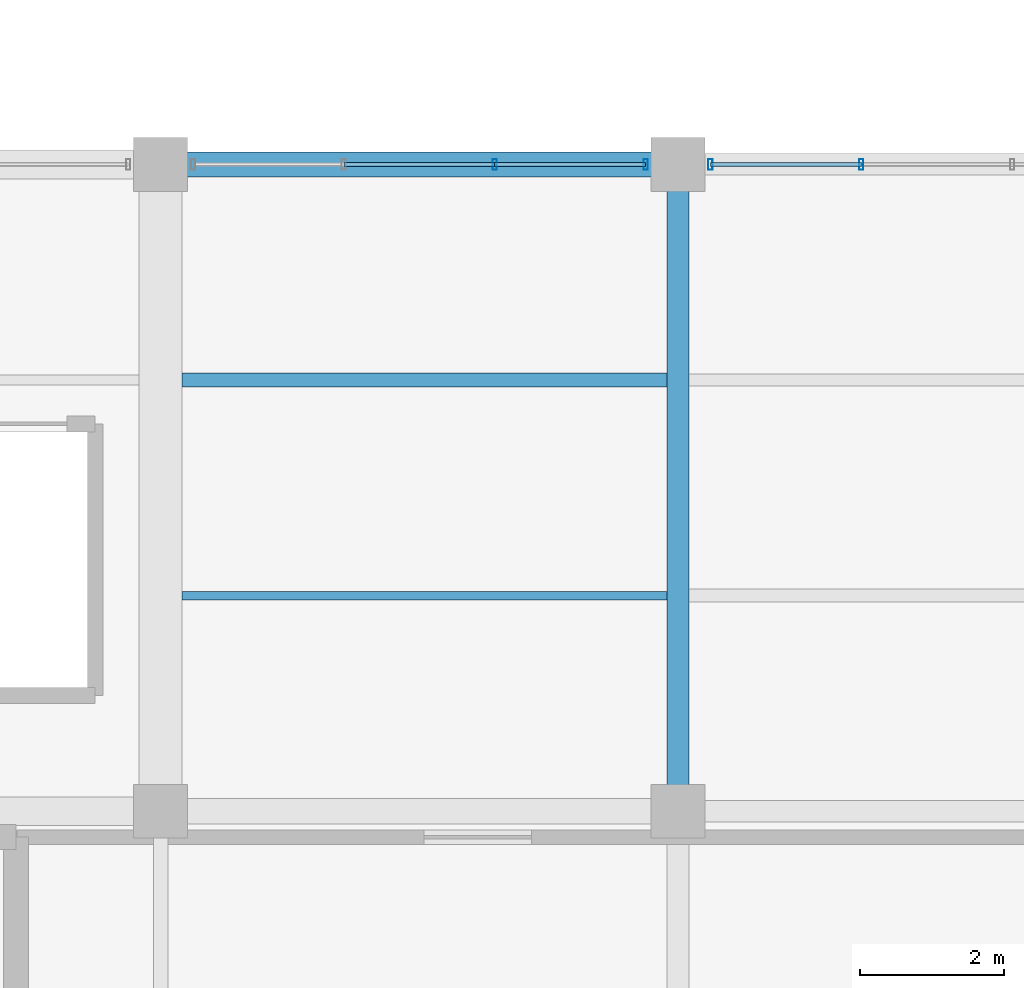
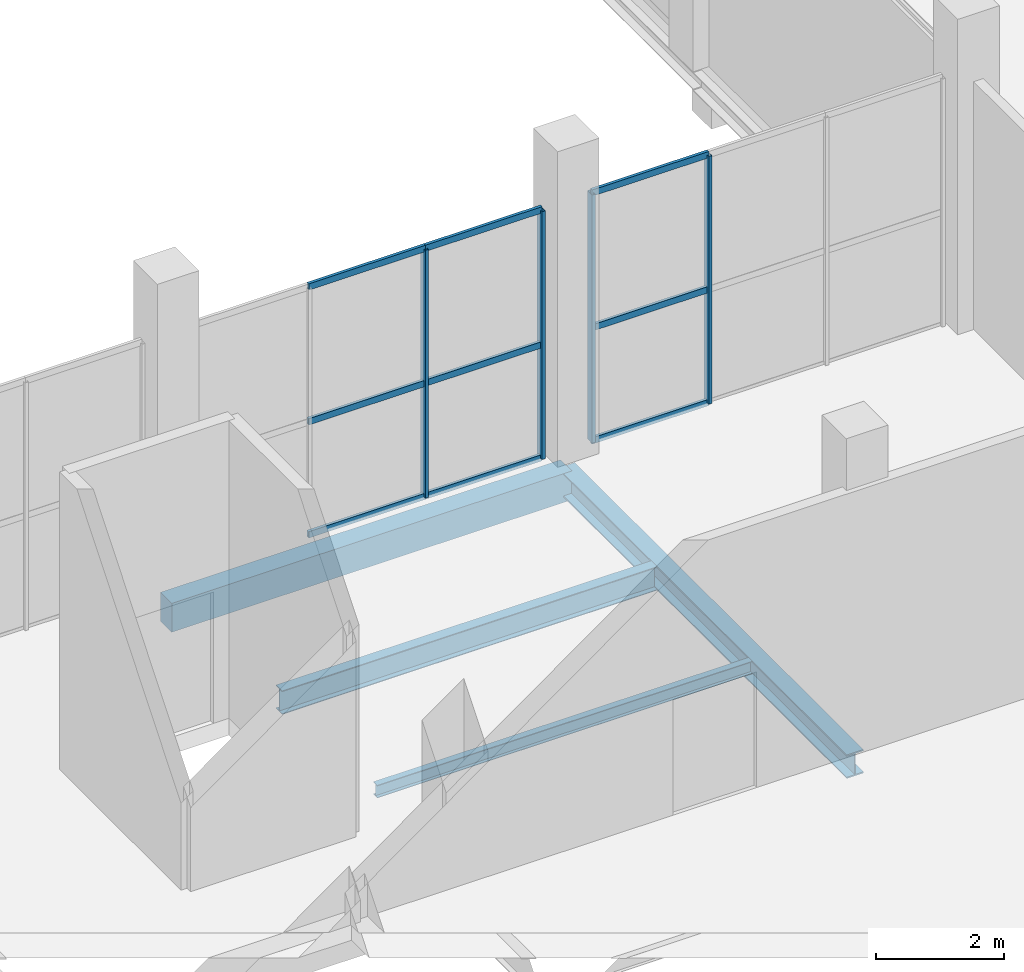
# One storey, part 103 of 144: 13 members, 4 beams, 2 elements without a shape of their own.
"""IFC4 building model written with IfcOpenShell, lengths in metres."""

import ifcopenshell
import ifcopenshell.guid

model = None  # the IFC model being written
_history = None  # IfcOwnerHistory: only IFC2X3 demands one
_inside = {}  # id of a spatial element -> (the spatial element, [elements in it])
_under = {}  # id of a project, library or spatial element -> (it, [spatial elements below it])
_declared = {}  # id of a project -> (the project, [libraries it declares])
_typed = {}  # id of a type object -> (the type object, [elements of that type])
_made_of = {}  # id of a material, layer set ... -> (it, [elements and type objects made of it])


def new_model(schema):
    """Start an empty IFC model of exactly this schema.

    Asked for "IFC4X3", IfcOpenShell would pick the latest addendum, in which some entities
    have other attributes; the version numbers below select the first issue.
    IFC2X3 requires an IfcOwnerHistory on every rooted entity: one is made here for all.
    """
    global model, _history
    if schema == "IFC4X3":
        model = ifcopenshell.file(schema_version=(4, 3, 0, 0))
    else:
        model = ifcopenshell.file(schema=schema)
    _inside.clear()
    _under.clear()
    _declared.clear()
    _typed.clear()
    _made_of.clear()
    _history = None
    if model.schema == "IFC2X3":
        org = make("IfcOrganization", Name="unknown")
        user = make(
            "IfcPersonAndOrganization",
            ThePerson=make("IfcPerson", FamilyName="unknown"),
            TheOrganization=org,
        )
        app = make(
            "IfcApplication",
            ApplicationDeveloper=org,
            Version="unknown",
            ApplicationFullName="unknown",
            ApplicationIdentifier="unknown",
        )
        _history = make(
            "IfcOwnerHistory",
            OwningUser=user,
            OwningApplication=app,
            ChangeAction="ADDED",
            CreationDate=0,
        )
    return model


def make(cls, **values):
    """One entity of the class cls with the attributes given. An attribute that is None is left unset."""
    return model.create_entity(
        cls, **{name: value for name, value in values.items() if value is not None}
    )


def rooted(cls, **values):
    """An entity with a GlobalId (a new one), such as an element, a storey or a relation."""
    return make(cls, GlobalId=ifcopenshell.guid.new(), OwnerHistory=_history, **values)


def si_unit(unit_type, name, prefix=None):
    """IfcSIUnit, for example si_unit("LENGTHUNIT", "METRE", prefix="MILLI")."""
    return make("IfcSIUnit", UnitType=unit_type, Prefix=prefix, Name=name)


def assignment(units):
    """IfcUnitAssignment: the units of a project."""
    return None if units is None else make("IfcUnitAssignment", Units=units)


def point(xyz):
    """IfcCartesianPoint."""
    return None if xyz is None else make("IfcCartesianPoint", Coordinates=xyz)


def direction(xyz):
    """IfcDirection."""
    return None if xyz is None else make("IfcDirection", DirectionRatios=xyz)


def frame(location, z_axis=None, x_axis=None):
    """IfcAxis2Placement3D, a coordinate frame: its origin and axes. An axis left out is left unset."""
    return make(
        "IfcAxis2Placement3D",
        Location=point(location),
        Axis=direction(z_axis),
        RefDirection=direction(x_axis),
    )


def frame_2d(location, x_axis=None):
    """IfcAxis2Placement2D, a coordinate frame in the plane: its origin and x axis."""
    return make(
        "IfcAxis2Placement2D", Location=point(location), RefDirection=direction(x_axis)
    )


def origin():
    """The frame at (0, 0, 0) with its axes left unset."""
    return frame((0.0, 0.0, 0.0))


def origin_2d():
    """The frame at (0, 0) in the plane with its x axis left unset."""
    return frame_2d((0.0, 0.0))


def place(relative_to, where):
    """IfcLocalPlacement: puts the frame where relative to a parent placement (None: the world)."""
    return make(
        "IfcLocalPlacement", PlacementRelTo=relative_to, RelativePlacement=where
    )


def context(
    kind, dimensions, precision=None, world=None, true_north=None, identifier=None
):
    """IfcGeometricRepresentationContext, for example the 3D "Model" context."""
    return make(
        "IfcGeometricRepresentationContext",
        ContextIdentifier=identifier,
        ContextType=kind,
        CoordinateSpaceDimension=dimensions,
        Precision=precision,
        WorldCoordinateSystem=world,
        TrueNorth=true_north,
    )


def subcontext(parent, identifier, kind, view, scale=None):
    """IfcGeometricRepresentationSubContext, for example "Body" below "Model"."""
    return make(
        "IfcGeometricRepresentationSubContext",
        ContextIdentifier=identifier,
        ContextType=kind,
        ParentContext=parent,
        TargetScale=scale,
        TargetView=view,
    )


def project(units=None, contexts=None):
    """IfcProject with its units and contexts."""
    return rooted(
        "IfcProject",
        Name="project",
        RepresentationContexts=contexts,
        UnitsInContext=assignment(units),
    )


def spatial(cls, under=None, at=None, **own):
    """A site, building, storey or space (cls), placed at a placement, below another one or the project."""
    s = rooted(cls, ObjectPlacement=at, **own)
    if under is not None:
        _under.setdefault(under.id(), (under, []))[1].append(s)
    return s


def profile(cls, at=None, kind="AREA", **sizes):
    """A parametric profile (cls). Its sizes go by their IFC names, for example OverallWidth=200.0."""
    return make(cls, ProfileType=kind, Position=at, **sizes)


def rectangle(**sizes):
    """IfcRectangleProfileDef."""
    return profile("IfcRectangleProfileDef", **sizes)


def hollow_rectangle(**sizes):
    """IfcRectangleHollowProfileDef."""
    return profile("IfcRectangleHollowProfileDef", **sizes)


def i_section(**sizes):
    """IfcIShapeProfileDef."""
    return profile("IfcIShapeProfileDef", **sizes)


def extrude(swept, where, along, depth):
    """IfcExtrudedAreaSolid: the profile swept, set in the frame where, extruded along a direction by depth."""
    return make(
        "IfcExtrudedAreaSolid",
        SweptArea=swept,
        Position=where,
        ExtrudedDirection=direction(along),
        Depth=depth,
    )


def shape(context_of_items, identifier, shape_type, items):
    """IfcShapeRepresentation: the items that make up one representation, for example the "Body"."""
    return make(
        "IfcShapeRepresentation",
        ContextOfItems=context_of_items,
        RepresentationIdentifier=identifier,
        RepresentationType=shape_type,
        Items=items,
    )


def material(Name=None, Category=None):
    """IfcMaterial."""
    return make("IfcMaterial", Name=Name, Category=Category)


def layer(
    of_material, thickness, ventilated=None, Name=None, Category=None, Priority=None
):
    """IfcMaterialLayer: one layer of a wall or slab, of a material (None: an air gap)."""
    return make(
        "IfcMaterialLayer",
        Material=of_material,
        LayerThickness=thickness,
        IsVentilated=ventilated,
        Name=Name,
        Category=Category,
        Priority=Priority,
    )


def layer_set(layers, Name=None):
    """IfcMaterialLayerSet."""
    return make("IfcMaterialLayerSet", MaterialLayers=layers, LayerSetName=Name)


def material_profile(
    of_material, cross_section, Name=None, Category=None, Priority=None
):
    """IfcMaterialProfile: a cross section and its material."""
    return make(
        "IfcMaterialProfile",
        Name=Name,
        Material=of_material,
        Profile=cross_section,
        Priority=Priority,
        Category=Category,
    )


def profile_set(profiles, Name=None, composite=None):
    """IfcMaterialProfileSet."""
    return make(
        "IfcMaterialProfileSet",
        Name=Name,
        MaterialProfiles=profiles,
        CompositeProfile=composite,
    )


def made_of(thing, what):
    """Note that an element or type object is made of a material, layer set ...; save() writes the relation."""
    if what is not None:
        _made_of.setdefault(what.id(), (what, []))[1].append(thing)
    return thing


def type_object(cls, material=None, **own):
    """A type object (cls), such as IfcWallType, which elements share."""
    return made_of(rooted(cls, **own), material)


def element(
    cls,
    number,
    at=None,
    inside=None,
    cuts=None,
    type_object=None,
    material=None,
    context=None,
    identifier="Body",
    shape_type=None,
    held_by="IfcProductDefinitionShape",
    body=None,
    shapes=None,
    **own,
):
    """One element of the class cls, such as IfcWall. Its Tag is "e" and its number.

    at: its placement. inside: the storey or other place that contains it. cuts: it is an
    opening in that element (IfcRelVoidsElement). A single representation is given by context,
    identifier, shape_type and body (its items); several are given by shapes. held_by: the class
    of the entity that holds the representations. save() writes the other relations.
    """
    e = rooted(cls, Tag="e%d" % number, ObjectPlacement=at, **own)
    if body is not None:
        shapes = [shape(context, identifier, shape_type, body)]
    if shapes is not None:
        e.Representation = make(held_by, Representations=shapes)
    if inside is not None:
        _inside.setdefault(inside.id(), (inside, []))[1].append(e)
    if cuts is not None:
        rooted(
            "IfcRelVoidsElement", RelatingBuildingElement=cuts, RelatedOpeningElement=e
        )
    if type_object is not None:
        _typed.setdefault(type_object.id(), (type_object, []))[1].append(e)
    return made_of(e, material)


def aggregate(whole, parts):
    """IfcRelAggregates: a whole, such as a stair, and the parts it consists of."""
    return rooted("IfcRelAggregates", RelatingObject=whole, RelatedObjects=parts)


def save(model, path):
    """Write the relations noted so far, then the file.

    IfcRelAggregates (storeys below a building ...), IfcRelContainedInSpatialStructure (elements
    in a storey), IfcRelDefinesByType, IfcRelAssociatesMaterial and IfcRelDeclares: one each for
    every whole, place, type object, material and project.
    """
    for whole, parts in _under.values():
        aggregate(whole, parts)
    for where, things in _inside.values():
        rooted(
            "IfcRelContainedInSpatialStructure",
            RelatedElements=things,
            RelatingStructure=where,
        )
    for kind, things in _typed.values():
        rooted("IfcRelDefinesByType", RelatedObjects=things, RelatingType=kind)
    for what, things in _made_of.values():
        rooted("IfcRelAssociatesMaterial", RelatedObjects=things, RelatingMaterial=what)
    for by, libraries in _declared.values():
        rooted("IfcRelDeclares", RelatingContext=by, RelatedDefinitions=libraries)
    model.write(path)


model = new_model("IFC4")

# Units and contexts
model_context = context("Model", 3, precision=1e-05, world=origin(), true_north=direction((0.0, 1.0)))
body_context = subcontext(model_context, "Body", "Model", "MODEL_VIEW")
ifc_project = project(units=[si_unit("LENGTHUNIT", "METRE"), si_unit("AREAUNIT", "SQUARE_METRE"), si_unit("VOLUMEUNIT", "CUBIC_METRE"), si_unit("PLANEANGLEUNIT", "RADIAN"), si_unit("MASSUNIT", "GRAM", prefix="KILO")], contexts=[model_context])

# Site, building, storey
site_placement = place(None, origin())
site = spatial("IfcSite", under=ifc_project, at=site_placement, CompositionType="ELEMENT")
building_placement = place(site_placement, origin())
building = spatial("IfcBuilding", under=site, at=building_placement, Name="Sundgate Opera House", CompositionType="ELEMENT")
storey_placement = place(building_placement, origin())
storey = spatial("IfcBuildingStorey", under=building, at=storey_placement, Name="L00", CompositionType="ELEMENT", Elevation=0.0)

# Beams
ifc_material_1 = material(Name="Steel S355J2", Category="steel")
ifc_material_profile_1 = material_profile(ifc_material_1, i_section(OverallWidth=0.300048828125, OverallDepth=0.449951171875, WebThickness=0.013916015625, FlangeThickness=0.02587890625, at=origin_2d()), Name="HEB 450")
ifc_profile_set_1 = profile_set([ifc_material_profile_1], Name="Steel S355J2")
beam_type_1 = type_object("IfcBeamType", Name="BM-GR-HEB450", PredefinedType="BEAM", material=ifc_profile_set_1)
beam_1_placement = place(storey_placement, frame((145.800048828125, 78.0, -0.544921875), z_axis=(0.0, 1.0, 0.0), x_axis=(-1.0, 0.0, 0.0)))
element("IfcBeam", 1, at=beam_1_placement, inside=storey, type_object=beam_type_1, Name="L00 Primary N-S Girder B0284", PredefinedType="BEAM", context=body_context, shape_type="SweptSolid", body=[
    extrude(i_section(OverallWidth=0.300048828125, OverallDepth=0.449951171875, WebThickness=0.013916015625, FlangeThickness=0.02587890625, at=origin_2d()), origin(), (0.0, 0.0, 1.0), 9.0),
])
ifc_material_2 = material(Name="Steel S355J2", Category="steel")
ifc_material_profile_2 = material_profile(ifc_material_2, i_section(OverallWidth=0.1201171875, OverallDepth=0.239990234375, WebThickness=0.006103515625, FlangeThickness=0.009765625, at=origin_2d()), Name="IPE 240")
ifc_profile_set_2 = profile_set([ifc_material_profile_2], Name="Steel S355J2")
beam_type_2 = type_object("IfcBeamType", Name="BM-JS-IPE240", PredefinedType="JOIST", material=ifc_profile_set_2)
beam_2_placement = place(storey_placement, frame((138.89990234375, 81.0, -0.43994140625), z_axis=(1.0, 0.0, 0.0), x_axis=(0.0, 1.0, 0.0)))
element("IfcBeam", 2, at=beam_2_placement, inside=storey, type_object=beam_type_2, Name="L00 Secondary Floor Joist B0909", PredefinedType="JOIST", context=body_context, shape_type="SweptSolid", body=[
    extrude(i_section(OverallWidth=0.1201171875, OverallDepth=0.239990234375, WebThickness=0.006103515625, FlangeThickness=0.009765625, at=origin_2d()), origin(), (0.0, 0.0, 1.0), 6.75),
])
ifc_material_3 = material(Name="Steel S355J2", Category="steel")
ifc_material_profile_3 = material_profile(ifc_material_3, i_section(OverallWidth=0.18994140625, OverallDepth=0.449951171875, WebThickness=0.009521484375, FlangeThickness=0.0146484375, at=origin_2d()), Name="IPE 450")
ifc_profile_set_3 = profile_set([ifc_material_profile_3], Name="Steel S355J2")
beam_type_3 = type_object("IfcBeamType", Name="BM-JS-IPE450", PredefinedType="JOIST", material=ifc_profile_set_3)
beam_3_placement = place(storey_placement, frame((138.89990234375, 84.0, -0.544921875), z_axis=(1.0, 0.0, 0.0), x_axis=(0.0, 1.0, 0.0)))
element("IfcBeam", 3, at=beam_3_placement, inside=storey, type_object=beam_type_3, Name="L00 Secondary Floor Joist B0910", PredefinedType="JOIST", context=body_context, shape_type="SweptSolid", body=[
    extrude(i_section(OverallWidth=0.18994140625, OverallDepth=0.449951171875, WebThickness=0.009521484375, FlangeThickness=0.0146484375, at=origin_2d()), origin(), (0.0, 0.0, 1.0), 6.75),
])
ifc_material_4 = material(Name="Concrete C35/45", Category="concrete")
ifc_material_profile_4 = material_profile(ifc_material_4, rectangle(XDim=0.35009765625, YDim=0.550048828125, at=origin_2d()), Name="RC 350x550")
ifc_profile_set_4 = profile_set([ifc_material_profile_4], Name="Concrete C35/45")
beam_type_4 = type_object("IfcBeamType", Name="BM-RC-350x550", PredefinedType="BEAM", material=ifc_profile_set_4)
beam_4_placement = place(storey_placement, frame((138.60009765625, 87.0, -0.594970703125), z_axis=(1.0, 0.0, 0.0), x_axis=(0.0, 1.0, 0.0)))
element("IfcBeam", 4, at=beam_4_placement, inside=storey, type_object=beam_type_4, Name="L00 Primary E-W Girder B0519", PredefinedType="BEAM", context=body_context, shape_type="SweptSolid", body=[
    extrude(rectangle(XDim=0.35009765625, YDim=0.550048828125, at=origin_2d()), origin(), (0.0, 0.0, 1.0), 7.199951171875),
])

# Curtain wall, members
ifc_material_5 = material(Name="Anodized aluminium and low-iron glass", Category="aluminium")
ifc_layer = layer(ifc_material_5, 0.159912109375)
ifc_layer_set = layer_set([ifc_layer], Name="Anodized aluminium and low-iron glass")
curtain_wall_type = type_object("IfcCurtainWallType", Name="CW-STUDIO-DARK", PredefinedType="NOTDEFINED", material=ifc_layer_set)
curtain_wall_1_placement = place(storey_placement, origin())
curtain_wall_1 = element("IfcCurtainWall", 5, at=curtain_wall_1_placement, inside=storey, type_object=curtain_wall_type, Name="L00 Curtain Wall CW084", PredefinedType="NOTDEFINED")
ifc_material_6 = material(Name="Anodized aluminium EN AW-6063", Category="aluminium")
ifc_material_profile_5 = material_profile(ifc_material_6, hollow_rectangle(XDim=0.06005859375, YDim=0.14990234375, WallThickness=0.00390625, at=origin_2d()), Name="CWM 150x60x4")
ifc_profile_set_5 = profile_set([ifc_material_profile_5], Name="Anodized aluminium EN AW-6063")
member_type_1 = type_object("IfcMemberType", Name="CWM-ALU-150x60", PredefinedType="MULLION", material=ifc_profile_set_5)
member_1_placement = place(storey_placement, frame((143.25, 87.0, 0.0), z_axis=(0.0, 0.0, 1.0), x_axis=(1.0, 0.0, 0.0)))
member_1 = element("IfcMember", 6, at=member_1_placement, type_object=member_type_1, Name="CW084 Mullion 3", PredefinedType="MULLION", context=body_context, shape_type="SweptSolid", body=[
    extrude(hollow_rectangle(XDim=0.06005859375, YDim=0.14990234375, WallThickness=0.00390625, at=origin_2d()), origin(), (0.0, 0.0, 1.0), 4.715087890625),
])
member_2_placement = place(storey_placement, frame((145.35009765625, 87.0, 0.0), z_axis=(0.0, 0.0, 1.0), x_axis=(1.0, 0.0, 0.0)))
member_2 = element("IfcMember", 7, at=member_2_placement, type_object=member_type_1, Name="CW084 Mullion 4", PredefinedType="MULLION", context=body_context, shape_type="SweptSolid", body=[
    extrude(hollow_rectangle(XDim=0.06005859375, YDim=0.14990234375, WallThickness=0.00390625, at=origin_2d()), origin(), (0.0, 0.0, 1.0), 4.715087890625),
])

curtain_wall_2_placement = place(storey_placement, origin())
curtain_wall_2 = element("IfcCurtainWall", 8, at=curtain_wall_2_placement, inside=storey, type_object=curtain_wall_type, Name="L00 Curtain Wall CW086", PredefinedType="NOTDEFINED")
member_3_placement = place(storey_placement, frame((146.25, 87.0, 0.0), z_axis=(0.0, 0.0, 1.0), x_axis=(1.0, 0.0, 0.0)))
member_3 = element("IfcMember", 9, at=member_3_placement, type_object=member_type_1, Name="CW086 Mullion 1", PredefinedType="MULLION", context=body_context, shape_type="SweptSolid", body=[
    extrude(hollow_rectangle(XDim=0.06005859375, YDim=0.14990234375, WallThickness=0.00390625, at=origin_2d()), origin(), (0.0, 0.0, 1.0), 4.715087890625),
])
member_4_placement = place(storey_placement, frame((148.35009765625, 87.0, 0.0), z_axis=(0.0, 0.0, 1.0), x_axis=(1.0, 0.0, 0.0)))
member_4 = element("IfcMember", 10, at=member_4_placement, type_object=member_type_1, Name="CW086 Mullion 2", PredefinedType="MULLION", context=body_context, shape_type="SweptSolid", body=[
    extrude(hollow_rectangle(XDim=0.06005859375, YDim=0.14990234375, WallThickness=0.00390625, at=origin_2d()), origin(), (0.0, 0.0, 1.0), 4.715087890625),
])

# Member
ifc_material_7 = material(Name="Anodized aluminium EN AW-6063", Category="aluminium")
ifc_material_profile_6 = material_profile(ifc_material_7, hollow_rectangle(XDim=0.054931640625, YDim=0.1201171875, WallThickness=0.00390625, at=origin_2d()), Name="CWT 120x55x4")
ifc_profile_set_6 = profile_set([ifc_material_profile_6], Name="Anodized aluminium EN AW-6063")
member_type_2 = type_object("IfcMemberType", Name="CWT-ALU-120x55", PredefinedType="USERDEFINED", material=ifc_profile_set_6)
member_5_placement = place(storey_placement, frame((141.14990234375, 87.0, 0.0), z_axis=(1.0, 0.0, 0.0), x_axis=(0.0, 1.0, 0.0)))
member_5 = element("IfcMember", 11, at=member_5_placement, type_object=member_type_2, Name="CW084 Transom 4", ObjectType="TRANSOM", PredefinedType="USERDEFINED", context=body_context, shape_type="SweptSolid", body=[
    extrude(hollow_rectangle(XDim=0.054931640625, YDim=0.1201171875, WallThickness=0.00390625, at=origin_2d()), origin(), (0.0, 0.0, 1.0), 2.10009765625),
])

member_6_placement = place(storey_placement, frame((141.14990234375, 87.0, 2.14990234375), z_axis=(1.0, 0.0, 0.0), x_axis=(0.0, 1.0, 0.0)))
member_6 = element("IfcMember", 12, at=member_6_placement, type_object=member_type_2, Name="CW084 Transom 5", ObjectType="TRANSOM", PredefinedType="USERDEFINED", context=body_context, shape_type="SweptSolid", body=[
    extrude(hollow_rectangle(XDim=0.054931640625, YDim=0.1201171875, WallThickness=0.00390625, at=origin_2d()), origin(), (0.0, 0.0, 1.0), 2.10009765625),
])

member_7_placement = place(storey_placement, frame((141.14990234375, 87.0, 4.715087890625), z_axis=(1.0, 0.0, 0.0), x_axis=(0.0, 1.0, 0.0)))
member_7 = element("IfcMember", 13, at=member_7_placement, type_object=member_type_2, Name="CW084 Transom 6", ObjectType="TRANSOM", PredefinedType="USERDEFINED", context=body_context, shape_type="SweptSolid", body=[
    extrude(hollow_rectangle(XDim=0.054931640625, YDim=0.1201171875, WallThickness=0.00390625, at=origin_2d()), origin(), (0.0, 0.0, 1.0), 2.10009765625),
])

member_8_placement = place(storey_placement, frame((143.25, 87.0, 0.0), z_axis=(1.0, 0.0, 0.0), x_axis=(0.0, 1.0, 0.0)))
member_8 = element("IfcMember", 14, at=member_8_placement, type_object=member_type_2, Name="CW084 Transom 7", ObjectType="TRANSOM", PredefinedType="USERDEFINED", context=body_context, shape_type="SweptSolid", body=[
    extrude(hollow_rectangle(XDim=0.054931640625, YDim=0.1201171875, WallThickness=0.00390625, at=origin_2d()), origin(), (0.0, 0.0, 1.0), 2.10009765625),
])

member_9_placement = place(storey_placement, frame((143.25, 87.0, 2.14990234375), z_axis=(1.0, 0.0, 0.0), x_axis=(0.0, 1.0, 0.0)))
member_9 = element("IfcMember", 15, at=member_9_placement, type_object=member_type_2, Name="CW084 Transom 8", ObjectType="TRANSOM", PredefinedType="USERDEFINED", context=body_context, shape_type="SweptSolid", body=[
    extrude(hollow_rectangle(XDim=0.054931640625, YDim=0.1201171875, WallThickness=0.00390625, at=origin_2d()), origin(), (0.0, 0.0, 1.0), 2.10009765625),
])

member_10_placement = place(storey_placement, frame((143.25, 87.0, 4.715087890625), z_axis=(1.0, 0.0, 0.0), x_axis=(0.0, 1.0, 0.0)))
member_10 = element("IfcMember", 16, at=member_10_placement, type_object=member_type_2, Name="CW084 Transom 9", ObjectType="TRANSOM", PredefinedType="USERDEFINED", context=body_context, shape_type="SweptSolid", body=[
    extrude(hollow_rectangle(XDim=0.054931640625, YDim=0.1201171875, WallThickness=0.00390625, at=origin_2d()), origin(), (0.0, 0.0, 1.0), 2.10009765625),
])

aggregate(curtain_wall_1, [member_1, member_2, member_5, member_6, member_7, member_8, member_9, member_10])

member_11_placement = place(storey_placement, frame((146.25, 87.0, 0.0), z_axis=(1.0, 0.0, 0.0), x_axis=(0.0, 1.0, 0.0)))
member_11 = element("IfcMember", 17, at=member_11_placement, type_object=member_type_2, Name="CW086 Transom 1", ObjectType="TRANSOM", PredefinedType="USERDEFINED", context=body_context, shape_type="SweptSolid", body=[
    extrude(hollow_rectangle(XDim=0.054931640625, YDim=0.1201171875, WallThickness=0.00390625, at=origin_2d()), origin(), (0.0, 0.0, 1.0), 2.10009765625),
])

member_12_placement = place(storey_placement, frame((146.25, 87.0, 2.14990234375), z_axis=(1.0, 0.0, 0.0), x_axis=(0.0, 1.0, 0.0)))
member_12 = element("IfcMember", 18, at=member_12_placement, type_object=member_type_2, Name="CW086 Transom 2", ObjectType="TRANSOM", PredefinedType="USERDEFINED", context=body_context, shape_type="SweptSolid", body=[
    extrude(hollow_rectangle(XDim=0.054931640625, YDim=0.1201171875, WallThickness=0.00390625, at=origin_2d()), origin(), (0.0, 0.0, 1.0), 2.10009765625),
])

member_13_placement = place(storey_placement, frame((146.25, 87.0, 4.715087890625), z_axis=(1.0, 0.0, 0.0), x_axis=(0.0, 1.0, 0.0)))
member_13 = element("IfcMember", 19, at=member_13_placement, type_object=member_type_2, Name="CW086 Transom 3", ObjectType="TRANSOM", PredefinedType="USERDEFINED", context=body_context, shape_type="SweptSolid", body=[
    extrude(hollow_rectangle(XDim=0.054931640625, YDim=0.1201171875, WallThickness=0.00390625, at=origin_2d()), origin(), (0.0, 0.0, 1.0), 2.10009765625),
])

aggregate(curtain_wall_2, [member_3, member_4, member_11, member_12, member_13])

save(model, "model.ifc")
